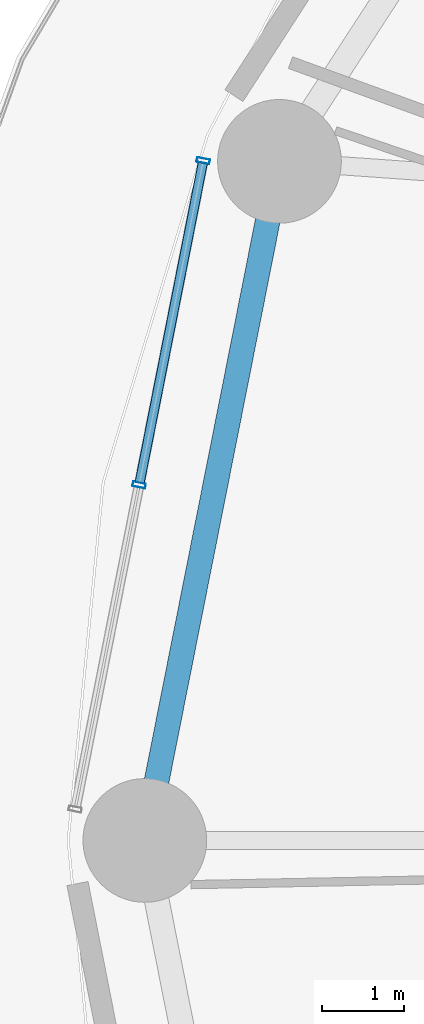
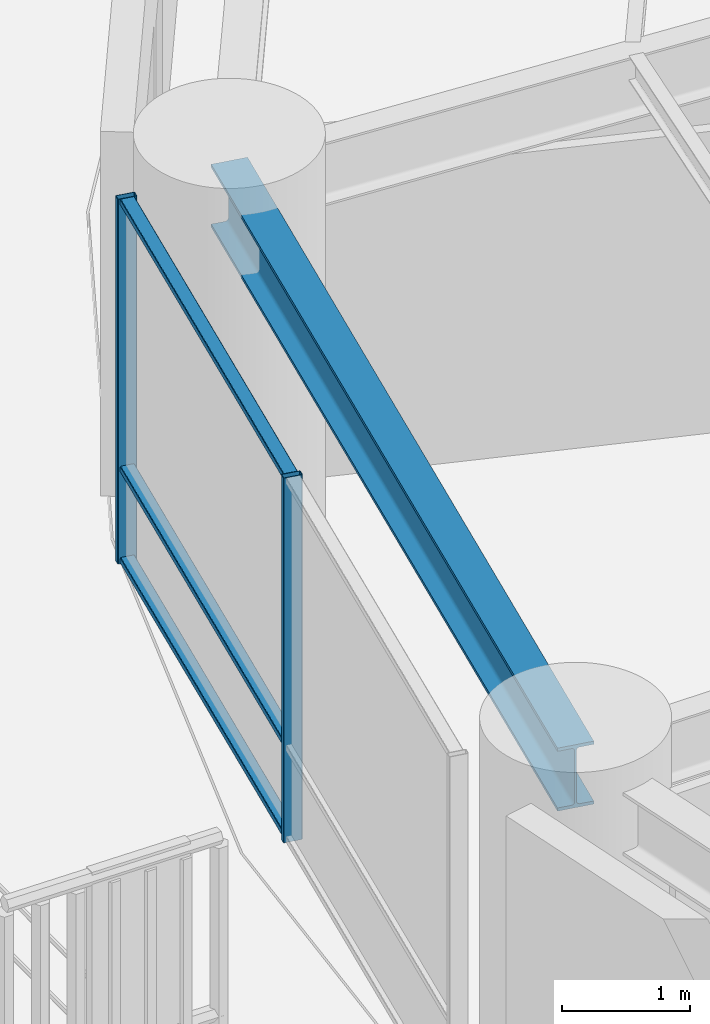
# One storey, part 15 of 34: 5 members, 1 beam, 1 element without a shape of its own.
"""IFC4 building model written with IfcOpenShell, lengths in metres."""

from ifc_helpers import new_model, si_unit, direction, frame, origin, origin_2d, place, context, subcontext, project, spatial, hollow_rectangle, i_section, extrude, material, layer, layer_set, material_profile, profile_set, type_object, element, aggregate, save


model = new_model("IFC4")

# Units and contexts
model_context = context("Model", 3, precision=1e-05, world=origin(), true_north=direction((0.0, 1.0)))
body_context = subcontext(model_context, "Body", "Model", "MODEL_VIEW")
ifc_project = project(units=[si_unit("LENGTHUNIT", "METRE"), si_unit("AREAUNIT", "SQUARE_METRE"), si_unit("VOLUMEUNIT", "CUBIC_METRE"), si_unit("PLANEANGLEUNIT", "RADIAN"), si_unit("MASSUNIT", "GRAM", prefix="KILO")], contexts=[model_context])

# Site, building, storey
site_placement = place(None, origin())
site = spatial("IfcSite", under=ifc_project, at=site_placement, CompositionType="ELEMENT")
building_placement = place(site_placement, origin())
building = spatial("IfcBuilding", under=site, at=building_placement, Name="Kelanora Arch Commons", CompositionType="ELEMENT")
storey_placement = place(building_placement, frame((0.0, 0.0, 33.75)))
storey = spatial("IfcBuildingStorey", under=building, at=storey_placement, Name="L08", CompositionType="ELEMENT", Elevation=33.75)

# Beam
ifc_material_1 = material(Name="Steel S355", Category="steel")
ifc_material_profile_1 = material_profile(ifc_material_1, i_section(OverallWidth=0.300048828125, OverallDepth=0.60009765625, WebThickness=0.015380859375, FlangeThickness=0.030029296875, FilletRadius=0.027099609375, at=origin_2d()), Name="HEB600")
ifc_profile_set_1 = profile_set([ifc_material_profile_1], Name="Steel S355")
beam_type = type_object("IfcBeamType", Name="BM-SPN-Z1", PredefinedType="SPANDREL", material=ifc_profile_set_1)
beam_placement = place(storey_placement, frame((48.552978515625, 66.23583984375, 3.18994140625), z_axis=(-0.194499827256, -0.980902552345, 0.0), x_axis=(0.980902552345, -0.194499827256, 0.0)))
element("IfcBeam", 1, at=beam_placement, inside=storey, type_object=beam_type, Name="Perimeter Spandrel Beam BS-16 L08", PredefinedType="SPANDREL", context=body_context, shape_type="SweptSolid", body=[
    extrude(i_section(OverallWidth=0.300048828125, OverallDepth=0.60009765625, WebThickness=0.015380859375, FlangeThickness=0.030029296875, FilletRadius=0.027099609375, at=origin_2d()), origin(), (0.0, 0.0, 1.0), 8.396240234375),
])

# Curtain wall, members
ifc_material_2 = material(Name="Terracotta ceramic-fritted low-E glass and aluminium", Category="masonry")
ifc_layer = layer(ifc_material_2, 0.159912109375)
ifc_layer_set = layer_set([ifc_layer], Name="Terracotta ceramic-fritted low-E glass and aluminium")
curtain_wall_type = type_object("IfcCurtainWallType", Name="CW-SYS-01", PredefinedType="NOTDEFINED", material=ifc_layer_set)
curtain_wall_placement = place(storey_placement, origin())
curtain_wall = element("IfcCurtainWall", 2, at=curtain_wall_placement, inside=storey, type_object=curtain_wall_type, Name="Unitised Curtain Wall L08-B08", PredefinedType="NOTDEFINED")
ifc_material_3 = material(Name="Powder-coated aluminium terracotta", Category="masonry")
ifc_material_profile_2 = material_profile(ifc_material_3, hollow_rectangle(XDim=0.159912109375, YDim=0.06005859375, WallThickness=0.0048828125, InnerFilletRadius=0.0048828125, OuterFilletRadius=0.010009765625, at=origin_2d()), Name="CWM160x60")
ifc_profile_set_2 = profile_set([ifc_material_profile_2], Name="Powder-coated aluminium terracotta")
member_type_1 = type_object("IfcMemberType", Name="CWM-STD", PredefinedType="MULLION", material=ifc_profile_set_2)
member_1_placement = place(storey_placement, frame((47.628173828125, 66.243896484375, 0.0), z_axis=(0.0, 0.0, 1.0), x_axis=(0.981052110579, -0.193744048498, 0.0)))
member_1 = element("IfcMember", 3, at=member_1_placement, type_object=member_type_1, Name="CW-01 mullion 1", PredefinedType="MULLION", context=body_context, shape_type="SweptSolid", body=[
    extrude(hollow_rectangle(XDim=0.159912109375, YDim=0.06005859375, WallThickness=0.0048828125, InnerFilletRadius=0.0048828125, OuterFilletRadius=0.010009765625, at=origin_2d()), origin(), (0.0, 0.0, 1.0), 3.47509765625),
])
member_2_placement = place(storey_placement, frame((46.8515625, 62.3115234375, 0.0), z_axis=(0.0, 0.0, 1.0), x_axis=(0.981052110579, -0.193744048498, 0.0)))
member_2 = element("IfcMember", 4, at=member_2_placement, type_object=member_type_1, Name="CW-01 mullion 2", PredefinedType="MULLION", context=body_context, shape_type="SweptSolid", body=[
    extrude(hollow_rectangle(XDim=0.159912109375, YDim=0.06005859375, WallThickness=0.0048828125, InnerFilletRadius=0.0048828125, OuterFilletRadius=0.010009765625, at=origin_2d()), origin(), (0.0, 0.0, 1.0), 3.47509765625),
])
ifc_material_profile_3 = material_profile(ifc_material_3, hollow_rectangle(XDim=0.1201171875, YDim=0.06005859375, WallThickness=0.0048828125, InnerFilletRadius=0.0048828125, OuterFilletRadius=0.010009765625, at=origin_2d()), Name="CWT120x60")
ifc_profile_set_3 = profile_set([ifc_material_profile_3], Name="Powder-coated aluminium terracotta")
member_type_2 = type_object("IfcMemberType", Name="CWT-STD", PredefinedType="USERDEFINED", material=ifc_profile_set_3)
member_3_placement = place(storey_placement, frame((47.622314453125, 66.21435546875, 0.030029296875), z_axis=(-0.193725436624, -0.98105578598, 0.0), x_axis=(0.98105578598, -0.193725436624, 0.0)))
member_3 = element("IfcMember", 5, at=member_3_placement, type_object=member_type_2, Name="CW-01 transom 1.1", ObjectType="TRANSOM", PredefinedType="USERDEFINED", context=body_context, shape_type="SweptSolid", body=[
    extrude(hollow_rectangle(XDim=0.1201171875, YDim=0.06005859375, WallThickness=0.0048828125, InnerFilletRadius=0.0048828125, OuterFilletRadius=0.010009765625, at=origin_2d()), origin(), (0.0, 0.0, 1.0), 3.9482421875),
])
member_4_placement = place(storey_placement, frame((47.622314453125, 66.21435546875, 0.89990234375), z_axis=(-0.193725436624, -0.98105578598, 0.0), x_axis=(0.98105578598, -0.193725436624, 0.0)))
member_4 = element("IfcMember", 6, at=member_4_placement, type_object=member_type_2, Name="CW-01 transom 1.2", ObjectType="TRANSOM", PredefinedType="USERDEFINED", context=body_context, shape_type="SweptSolid", body=[
    extrude(hollow_rectangle(XDim=0.1201171875, YDim=0.06005859375, WallThickness=0.0048828125, InnerFilletRadius=0.0048828125, OuterFilletRadius=0.010009765625, at=origin_2d()), origin(), (0.0, 0.0, 1.0), 3.9482421875),
])
member_5_placement = place(storey_placement, frame((47.622314453125, 66.21435546875, 3.445068359375), z_axis=(-0.193725436624, -0.98105578598, 0.0), x_axis=(0.98105578598, -0.193725436624, 0.0)))
member_5 = element("IfcMember", 7, at=member_5_placement, type_object=member_type_2, Name="CW-01 transom 1.3", ObjectType="TRANSOM", PredefinedType="USERDEFINED", context=body_context, shape_type="SweptSolid", body=[
    extrude(hollow_rectangle(XDim=0.1201171875, YDim=0.06005859375, WallThickness=0.0048828125, InnerFilletRadius=0.0048828125, OuterFilletRadius=0.010009765625, at=origin_2d()), origin(), (0.0, 0.0, 1.0), 3.9482421875),
])
aggregate(curtain_wall, [member_1, member_2, member_3, member_4, member_5])

save(model, "model.ifc")
